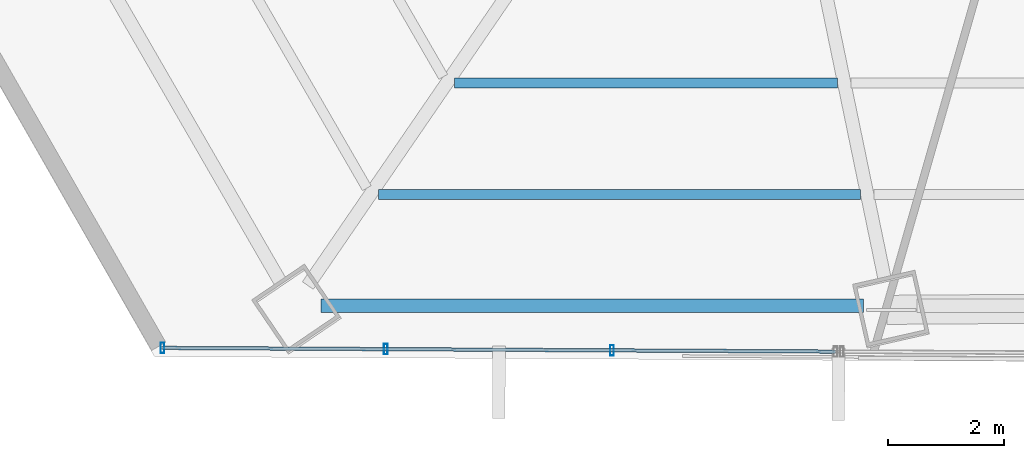
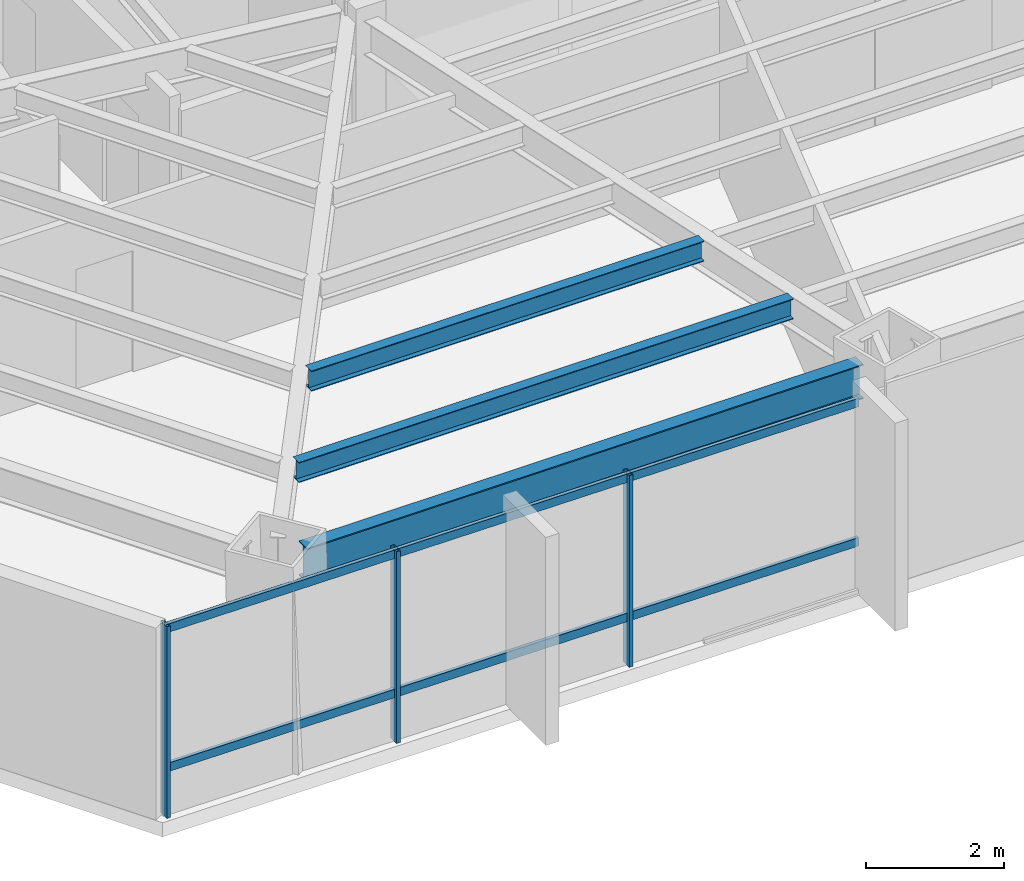
# One storey, part 4 of 36: 5 members, 3 beams, 1 element without a shape of its own.
"""IFC4 building model written with IfcOpenShell, lengths in metres."""

from ifc_helpers import new_model, si_unit, direction, frame, origin, origin_2d, place, context, subcontext, project, spatial, hollow_rectangle, i_section, extrude, source, transform, mapped, material, material_profile, profile_set, type_object, type_shapes, element, aggregate, save


model = new_model("IFC4")

# Units and contexts
model_context = context("Model", 3, precision=1e-05, world=origin(), true_north=direction((0.0, 1.0)))
body_context = subcontext(model_context, "Body", "Model", "MODEL_VIEW")
ifc_project = project(units=[si_unit("LENGTHUNIT", "METRE"), si_unit("AREAUNIT", "SQUARE_METRE"), si_unit("VOLUMEUNIT", "CUBIC_METRE"), si_unit("PLANEANGLEUNIT", "RADIAN"), si_unit("MASSUNIT", "GRAM", prefix="KILO")], contexts=[model_context])

# Site, building, storey
site_placement = place(None, origin())
site = spatial("IfcSite", under=ifc_project, at=site_placement, CompositionType="ELEMENT")
building_placement = place(site_placement, origin())
building = spatial("IfcBuilding", under=site, at=building_placement, Name="Caelisora Broadcast Tower", CompositionType="ELEMENT")
storey_placement = place(building_placement, frame((0.0, 0.0, 79.85009765625)))
storey = spatial("IfcBuildingStorey", under=building, at=storey_placement, Name="L20", CompositionType="ELEMENT", Elevation=79.85009765625)

# Beams
ifc_material_1 = material(Name="Steel Grade 350 (AS/NZS 3679.1)", Category="steel")
ifc_material_profile_1 = material_profile(ifc_material_1, i_section(OverallWidth=0.22900390625, OverallDepth=0.611572265625, WebThickness=0.011962890625, FlangeThickness=0.01953125, at=origin_2d()), Name="Steel Grade 350 (AS/NZS 3679.1)")
ifc_profile_set_1 = profile_set([ifc_material_profile_1], Name="Steel Grade 350 (AS/NZS 3679.1)")
beam_type_1 = type_object("IfcBeamType", Name="PG03", PredefinedType="BEAM", material=ifc_profile_set_1)
shared_shape_1 = source(origin(), body_context, "Body", "SweptSolid", [
    extrude(i_section(OverallWidth=0.22900390625, OverallDepth=0.611572265625, WebThickness=0.011962890625, FlangeThickness=0.01953125, at=origin_2d()), origin(), (0.0, 0.0, 1.0), 9.3369140625),
])
type_shapes(beam_type_1, [shared_shape_1])
beam_1_placement = place(storey_placement, frame((23.07470703125, 5.9072265625, 3.093994140625), z_axis=(1.0, 0.0, 0.0), x_axis=(0.0, 1.0, 0.0)))
element("IfcBeam", 1, at=beam_1_placement, inside=storey, type_object=beam_type_1, Name="L20 beam PG03", PredefinedType="BEAM", context=body_context, shape_type="MappedRepresentation", body=[
    mapped(shared_shape_1, transform((0.0, 0.0, 0.0), scale=1.0)),
])
ifc_material_profile_2 = material_profile(ifc_material_1, i_section(OverallWidth=0.172119140625, OverallDepth=0.358642578125, WebThickness=0.008056640625, FlangeThickness=0.012939453125, at=origin_2d()), Name="Steel Grade 350 (AS/NZS 3679.1)")
ifc_profile_set_2 = profile_set([ifc_material_profile_2], Name="Steel Grade 350 (AS/NZS 3679.1)")
beam_type_2 = type_object("IfcBeamType", Name="SB02", PredefinedType="JOIST", material=ifc_profile_set_2)
shared_shape_2 = source(origin(), body_context, "Body", "SweptSolid", [
    extrude(i_section(OverallWidth=0.172119140625, OverallDepth=0.358642578125, WebThickness=0.008056640625, FlangeThickness=0.012939453125, at=origin_2d()), origin(), (0.0, 0.0, 1.0), 6.58935546875),
])
beam_2_placement = place(storey_placement, frame((25.37841796875, 9.738037109375, 3.220703125), z_axis=(1.0, 0.0, 0.0), x_axis=(0.0, 1.0, 0.0)))
element("IfcBeam", 2, at=beam_2_placement, inside=storey, type_object=beam_type_2, Name="L20 beam SB02", PredefinedType="JOIST", context=body_context, shape_type="MappedRepresentation", body=[
    mapped(shared_shape_2, transform((0.0, 0.0, 0.0), scale=1.0)),
])
shared_shape_3 = source(origin(), body_context, "Body", "SweptSolid", [
    extrude(i_section(OverallWidth=0.172119140625, OverallDepth=0.358642578125, WebThickness=0.008056640625, FlangeThickness=0.012939453125, at=origin_2d()), origin(), (0.0, 0.0, 1.0), 8.298583984375),
])
type_shapes(beam_type_2, [shared_shape_2, shared_shape_3])
beam_3_placement = place(storey_placement, frame((24.064208984375, 7.82275390625, 3.220703125), z_axis=(1.0, 0.0, 0.0), x_axis=(0.0, 1.0, 0.0)))
element("IfcBeam", 3, at=beam_3_placement, inside=storey, type_object=beam_type_2, Name="L20 beam SB02", PredefinedType="JOIST", context=body_context, shape_type="MappedRepresentation", body=[
    mapped(shared_shape_3, transform((0.0, 0.0, 0.0), scale=1.0)),
])

# Curtain wall, members
ifc_material_2 = material(Name="Unitised Aluminium and Low-E Glass Curtain Wall", Category="glass")
curtain_wall_type = type_object("IfcCurtainWallType", Name="CW-Z2", PredefinedType="NOTDEFINED", material=ifc_material_2)
curtain_wall_placement = place(storey_placement, origin())
curtain_wall = element("IfcCurtainWall", 4, at=curtain_wall_placement, inside=storey, type_object=curtain_wall_type, Name="L20 curtain wall CW-Z2", PredefinedType="NOTDEFINED")
ifc_material_3 = material(Name="Aluminium 6063-T6 Anodised Terracotta Bronze", Category="aluminium")
ifc_material_profile_3 = material_profile(ifc_material_3, hollow_rectangle(XDim=0.06494140625, YDim=0.179931640625, WallThickness=0.00341796875, at=origin_2d()), Name="Aluminium 6063-T6 Anodised Terracotta Bronze")
ifc_profile_set_3 = profile_set([ifc_material_profile_3], Name="Aluminium 6063-T6 Anodised Terracotta Bronze")
member_type_1 = type_object("IfcMemberType", Name="CWM-02", PredefinedType="MULLION", material=ifc_profile_set_3)
shared_shape_4 = source(origin(), body_context, "Body", "SweptSolid", [
    extrude(hollow_rectangle(XDim=0.06494140625, YDim=0.179931640625, WallThickness=0.00341796875, at=origin_2d()), origin(), (0.0, 0.0, 1.0), 3.39990234375),
])
type_shapes(member_type_1, [shared_shape_4])
member_1_placement = place(storey_placement, frame((28.0859375, 5.137451171875, 0.0), z_axis=(0.0, 0.0, 1.0), x_axis=(1.0, 0.0, 0.0)))
member_1 = element("IfcMember", 5, at=member_1_placement, type_object=member_type_1, Name="L20-CW-B07 mullion #1", PredefinedType="MULLION", context=body_context, shape_type="MappedRepresentation", body=[
    mapped(shared_shape_4, transform((0.0, 0.0, 0.0), scale=1.0)),
])
member_2_placement = place(storey_placement, frame((24.193115234375, 5.15869140625, 0.0), z_axis=(0.0, 0.0, 1.0), x_axis=(1.0, 0.0, 0.0)))
member_2 = element("IfcMember", 6, at=member_2_placement, type_object=member_type_1, Name="L20-CW-B07 mullion #2", PredefinedType="MULLION", context=body_context, shape_type="MappedRepresentation", body=[
    mapped(shared_shape_4, transform((0.0, 0.0, 0.0), scale=1.0)),
])
member_3_placement = place(storey_placement, frame((20.35009765625, 5.1796875, 0.0), z_axis=(0.0, 0.0, 1.0), x_axis=(1.0, 0.0, 0.0)))
member_3 = element("IfcMember", 7, at=member_3_placement, type_object=member_type_1, Name="L20-CW-B07 mullion #3", PredefinedType="MULLION", context=body_context, shape_type="MappedRepresentation", body=[
    mapped(shared_shape_4, transform((0.0, 0.0, 0.0), scale=1.0)),
])
ifc_material_profile_4 = material_profile(ifc_material_3, hollow_rectangle(XDim=0.06005859375, YDim=0.14990234375, WallThickness=0.00341796875, at=origin_2d()), Name="Aluminium 6063-T6 Anodised Terracotta Bronze")
ifc_profile_set_4 = profile_set([ifc_material_profile_4], Name="Aluminium 6063-T6 Anodised Terracotta Bronze")
member_type_2 = type_object("IfcMemberType", Name="CWT-02", PredefinedType="USERDEFINED", material=ifc_profile_set_4)
shared_shape_5 = source(origin(), body_context, "Body", "SweptSolid", [
    extrude(hollow_rectangle(XDim=0.06005859375, YDim=0.14990234375, WallThickness=0.00341796875, at=origin_2d()), origin(), (0.0, 0.0, 1.0), 11.579345703125),
])
type_shapes(member_type_2, [shared_shape_5])
member_4_placement = place(storey_placement, frame((31.92919921875, 5.116455078125, 0.849853515625), z_axis=(-0.999985089569, 0.005460827743, 0.0), x_axis=(-0.005460827743, -0.999985089569, 0.0)))
member_4 = element("IfcMember", 8, at=member_4_placement, type_object=member_type_2, Name="L20-CW-B07 transom #1", ObjectType="TRANSOM", PredefinedType="USERDEFINED", context=body_context, shape_type="MappedRepresentation", body=[
    mapped(shared_shape_5, transform((0.0, 0.0, 0.0), scale=1.0)),
])
member_5_placement = place(storey_placement, frame((31.92919921875, 5.116455078125, 3.31982421875), z_axis=(-0.999985089569, 0.005460827743, 0.0), x_axis=(-0.005460827743, -0.999985089569, 0.0)))
member_5 = element("IfcMember", 9, at=member_5_placement, type_object=member_type_2, Name="L20-CW-B07 transom #2", ObjectType="TRANSOM", PredefinedType="USERDEFINED", context=body_context, shape_type="MappedRepresentation", body=[
    mapped(shared_shape_5, transform((0.0, 0.0, 0.0), scale=1.0)),
])
aggregate(curtain_wall, [member_1, member_2, member_3, member_4, member_5])

save(model, "model.ifc")
